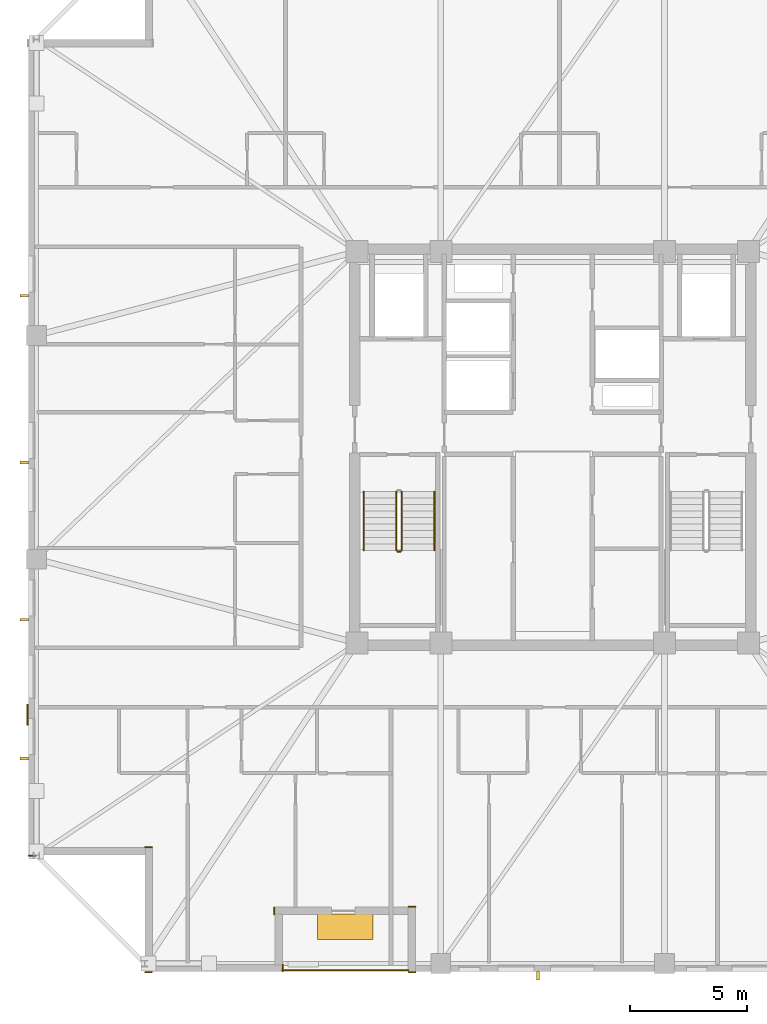
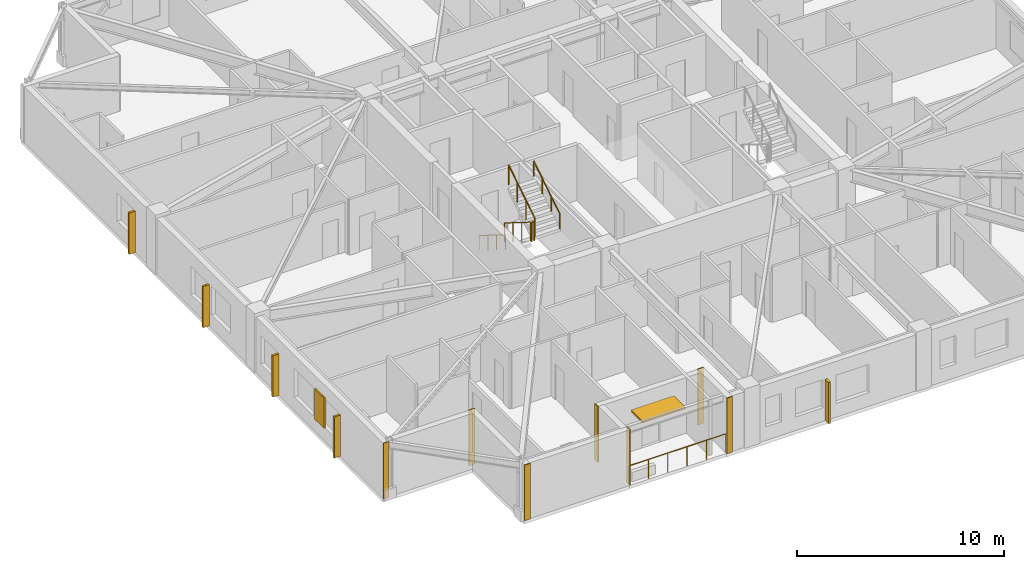
# One storey, part 13 of 17: 7 coverings, 7 shading devices, 6 railings.
"""IFC4 building model written with IfcOpenShell, lengths in metres."""

from ifc_helpers import new_model, si_unit, direction, frame, frame_2d, origin, origin_2d, place, context, subcontext, project, spatial, rectangle, circle, extrude, material, layer, layer_set, type_object, element, save


model = new_model("IFC4")

# Units and contexts
model_context = context("Model", 3, precision=1e-05, world=origin(), true_north=direction((0.0, 1.0)))
body_context = subcontext(model_context, "Body", "Model", "MODEL_VIEW")
ifc_project = project(units=[si_unit("LENGTHUNIT", "METRE"), si_unit("AREAUNIT", "SQUARE_METRE"), si_unit("VOLUMEUNIT", "CUBIC_METRE"), si_unit("PLANEANGLEUNIT", "RADIAN"), si_unit("MASSUNIT", "GRAM", prefix="KILO")], contexts=[model_context])

# Site, building, storey
site_placement = place(None, origin())
site = spatial("IfcSite", under=ifc_project, at=site_placement, CompositionType="ELEMENT")
building_placement = place(site_placement, origin())
building = spatial("IfcBuilding", under=site, at=building_placement, Name="Cairnveth Concourse Tower", CompositionType="ELEMENT")
storey_placement = place(building_placement, frame((0.0, 0.0, 262.0)))
storey = spatial("IfcBuildingStorey", under=building, at=storey_placement, Name="L72", CompositionType="ELEMENT", Elevation=262.0)

# Coverings
ifc_material_1 = material(Name="Dressed Melbourne Bluestone Cladding", Category="masonry")
ifc_layer = layer(ifc_material_1, 0.050048828125)
ifc_layer_set = layer_set([ifc_layer], Name="Dressed Melbourne Bluestone Cladding")
covering_type = type_object("IfcCoveringType", Name="DRESSED BLUESTONE PLINTH CLADDING 50", PredefinedType="CLADDING", material=ifc_layer_set)
for number, where, z_axis, x_axis, name in (
    (1, (40.419921875, 16.820068359375, 0.0), (0.0, 0.0, 1.0), (0.0, -1.0, 0.0), "Melbourne Bluestone Corner Quoin L72-1087"),
    (2, (34.820068359375, 16.47998046875, 0.0), (0.0, 0.0, 1.0), (-1.0, 0.0, 0.0), "Melbourne Bluestone Corner Quoin L72-1088"),
    (3, (34.820068359375, 21.840087890625, 0.0), (0.0, 0.0, 1.0), (-1.0, 0.0, 0.0), "Melbourne Bluestone Corner Quoin L72-1089"),
    (4, (29.820068359375, 21.47998046875, 0.0), (0.0, 0.0, 1.0), (-1.0, 0.0, 0.0), "Melbourne Bluestone Corner Quoin L72-1090"),
    (5, (46.1201171875, 16.47998046875, 0.0), (0.0, 0.0, 1.0), (-1.0, 0.0, 0.0), "Melbourne Bluestone Corner Quoin L72-1100"),
    (6, (46.1201171875, 19.2900390625, 0.0), (0.0, 0.0, 1.0), (-1.0, 0.0, 0.0), "Melbourne Bluestone Corner Quoin L72-1101"),
    (7, (40.06005859375, 19.27001953125, 0.0), (0.0, 0.0, 1.0), (0.0, -1.0, 0.0), "Melbourne Bluestone Corner Quoin L72-1102"),
):
    element("IfcCovering", number, at=place(storey_placement, frame(where, z_axis=z_axis, x_axis=x_axis)), inside=storey, type_object=covering_type, Name=name, PredefinedType="CLADDING", context=body_context, shape_type="SweptSolid", body=[
        extrude(rectangle(XDim=0.320068359375, YDim=0.050048828125, at=frame_2d((0.16015625, 0.0))), origin(), (0.0, 0.0, 1.0), 3.2900390625),
    ])

# Shading devices
ifc_material_2 = material(Name="Architectural Bronze Anodised Aluminium 6063-T6", Category="aluminium")
shading_device_type_1 = type_object("IfcShadingDeviceType", Name="GOTHIC BRONZE VERTICAL LANCET FIN", PredefinedType="USERDEFINED", material=ifc_material_2)
for number, where, z_axis, x_axis, name in (
    (8, (29.324951171875, 25.652587890625, 0.030029296875), (0.0, 0.0, 1.0), (0.0, 1.0, 0.0), "Gothic Bronze Vertical Fin L72-3-1"),
    (9, (29.324951171875, 31.60302734375, 0.030029296875), (0.0, 0.0, 1.0), (0.0, 1.0, 0.0), "Gothic Bronze Vertical Fin L72-3-3"),
    (10, (29.324951171875, 38.353515625, 0.030029296875), (0.0, 0.0, 1.0), (0.0, 1.0, 0.0), "Gothic Bronze Vertical Fin L72-3-5"),
    (11, (29.324951171875, 45.504150390625, 0.030029296875), (0.0, 0.0, 1.0), (0.0, 1.0, 0.0), "Gothic Bronze Vertical Fin L72-3-7"),
    (12, (51.36328125, 16.324951171875, 0.030029296875), (0.0, 0.0, 1.0), (1.0, 0.0, 0.0), "Gothic Bronze Vertical Fin L72-12-5"),
):
    element("IfcShadingDevice", number, at=place(storey_placement, frame(where, z_axis=z_axis, x_axis=x_axis)), inside=storey, type_object=shading_device_type_1, Name=name, ObjectType="VERTICAL FIN", PredefinedType="USERDEFINED", context=body_context, shape_type="SweptSolid", body=[
        extrude(rectangle(XDim=0.1201171875, YDim=0.360107421875, at=origin_2d()), origin(), (0.0, 0.0, 1.0), 2.43798828125),
    ])
shading_device_type_2 = type_object("IfcShadingDeviceType", Name="SPIRAL TERRACE SUNSHADE CANOPY", PredefinedType="USERDEFINED", material=ifc_material_2)
shading_device_1_placement = place(storey_placement, frame((43.10009765625, 18.429931640625, 2.31787109375), z_axis=(0.0, 0.0, 1.0), x_axis=(1.0, 0.0, 0.0)))
element("IfcShadingDevice", 13, at=shading_device_1_placement, inside=storey, type_object=shading_device_type_2, Name="Spiral Terrace Sunshade L72", ObjectType="TERRACE SUNSHADE", PredefinedType="USERDEFINED", context=body_context, shape_type="SweptSolid", body=[
    extrude(rectangle(XDim=2.39990234375, YDim=1.10009765625, at=origin_2d()), origin(), (0.0, 0.0, 1.0), 0.1201171875),
])

# Railings
ifc_material_3 = material(Name="Steel Grade 350", Category="steel")
railing_type_1 = type_object("IfcRailingType", Name="STAIR GUARDRAIL 1150", PredefinedType="GUARDRAIL", material=ifc_material_3)
railing_1_placement = place(storey_placement, frame((45.2900390625, 37.10009765625, 0.175048828125)))
element("IfcRailing", 14, at=railing_1_placement, inside=storey, type_object=railing_type_1, Name="L72 ST-1 stair guard 1", PredefinedType="GUARDRAIL", context=body_context, shape_type="SweptSolid", body=[
    extrude(circle(Radius=0.02392578125, at=origin_2d()), frame((0.0, 0.0, 1.1259765625), z_axis=(0.0, -0.848007534815, 0.529984170421), x_axis=(1.0, 0.0, 0.0)), (0.0, 0.0, 1.0), 2.9716796875),
    extrude(circle(Radius=0.02099609375, at=origin_2d()), origin(), (0.0, 0.0, 1.0), 1.101806640625),
    extrude(circle(Radius=0.02099609375, at=origin_2d()), frame((0.0, -0.840087890625, 0.52490234375)), (0.0, 0.0, 1.0), 1.101806640625),
    extrude(circle(Radius=0.02099609375, at=origin_2d()), frame((0.0, -1.679931640625, 1.050048828125)), (0.0, 0.0, 1.0), 1.101806640625),
    extrude(circle(Radius=0.02099609375, at=origin_2d()), frame((0.0, -2.52001953125, 1.574951171875)), (0.0, 0.0, 1.0), 1.101806640625),
])
railing_2_placement = place(storey_placement, frame((45.340087890625, 34.530029296875, 1.75)))
element("IfcRailing", 15, at=railing_2_placement, inside=storey, type_object=railing_type_1, Name="L72 ST-1 stair guard 2", PredefinedType="GUARDRAIL", context=body_context, shape_type="SweptSolid", body=[
    extrude(circle(Radius=0.02392578125, at=origin_2d()), frame((0.0, 0.0, 1.1259765625), z_axis=(1.0, 0.0, 0.0), x_axis=(0.0, 1.0, 0.0)), (0.0, 0.0, 1.0), 0.139892578125),
    extrude(circle(Radius=0.02099609375, at=origin_2d()), origin(), (0.0, 0.0, 1.0), 1.101806640625),
    extrude(circle(Radius=0.02099609375, at=origin_2d()), frame((0.139892578125, 0.0, 0.0)), (0.0, 0.0, 1.0), 1.101806640625),
])
railing_3_placement = place(storey_placement, frame((45.530029296875, 34.580078125, 1.925048828125)))
element("IfcRailing", 16, at=railing_3_placement, inside=storey, type_object=railing_type_1, Name="L72 ST-1 stair guard 3", PredefinedType="GUARDRAIL", context=body_context, shape_type="SweptSolid", body=[
    extrude(circle(Radius=0.02392578125, at=origin_2d()), frame((0.0, 0.0, 1.1259765625), z_axis=(0.0, 0.848007534815, 0.529984170421), x_axis=(-1.0, 0.0, 0.0)), (0.0, 0.0, 1.0), 2.9716796875),
    extrude(circle(Radius=0.02099609375, at=origin_2d()), origin(), (0.0, 0.0, 1.0), 1.101806640625),
    extrude(circle(Radius=0.02099609375, at=origin_2d()), frame((0.0, 0.840087890625, 0.52490234375)), (0.0, 0.0, 1.0), 1.101806640625),
    extrude(circle(Radius=0.02099609375, at=origin_2d()), frame((0.0, 1.679931640625, 1.050048828125)), (0.0, 0.0, 1.0), 1.101806640625),
    extrude(circle(Radius=0.02099609375, at=origin_2d()), frame((0.0, 2.52001953125, 1.574951171875)), (0.0, 0.0, 1.0), 1.101806640625),
])
railing_type_2 = type_object("IfcRailingType", Name="STAIR WALL HANDRAIL 900", PredefinedType="HANDRAIL", material=ifc_material_3)
railing_4_placement = place(storey_placement, frame((43.889892578125, 37.10009765625, 0.175048828125)))
element("IfcRailing", 17, at=railing_4_placement, inside=storey, type_object=railing_type_2, Name="L72 ST-1 stair handrail 1", PredefinedType="HANDRAIL", context=body_context, shape_type="SweptSolid", body=[
    extrude(circle(Radius=0.02392578125, at=origin_2d()), frame((0.0, 0.0, 0.8759765625), z_axis=(0.0, -0.848007534815, 0.529984170421), x_axis=(1.0, 0.0, 0.0)), (0.0, 0.0, 1.0), 2.9716796875),
    extrude(circle(Radius=0.02099609375, at=origin_2d()), origin(), (0.0, 0.0, 1.0), 0.851806640625),
    extrude(circle(Radius=0.02099609375, at=origin_2d()), frame((0.0, -0.840087890625, 0.52490234375)), (0.0, 0.0, 1.0), 0.851806640625),
    extrude(circle(Radius=0.02099609375, at=origin_2d()), frame((0.0, -1.679931640625, 1.050048828125)), (0.0, 0.0, 1.0), 0.851806640625),
    extrude(circle(Radius=0.02099609375, at=origin_2d()), frame((0.0, -2.52001953125, 1.574951171875)), (0.0, 0.0, 1.0), 0.851806640625),
])
railing_5_placement = place(storey_placement, frame((46.929931640625, 34.580078125, 1.925048828125)))
element("IfcRailing", 18, at=railing_5_placement, inside=storey, type_object=railing_type_2, Name="L72 ST-1 stair handrail 2", PredefinedType="HANDRAIL", context=body_context, shape_type="SweptSolid", body=[
    extrude(circle(Radius=0.02392578125, at=origin_2d()), frame((0.0, 0.0, 0.8759765625), z_axis=(0.0, 0.848007534815, 0.529984170421), x_axis=(-1.0, 0.0, 0.0)), (0.0, 0.0, 1.0), 2.9716796875),
    extrude(circle(Radius=0.02099609375, at=origin_2d()), origin(), (0.0, 0.0, 1.0), 0.851806640625),
    extrude(circle(Radius=0.02099609375, at=origin_2d()), frame((0.0, 0.840087890625, 0.52490234375)), (0.0, 0.0, 1.0), 0.851806640625),
    extrude(circle(Radius=0.02099609375, at=origin_2d()), frame((0.0, 1.679931640625, 1.050048828125)), (0.0, 0.0, 1.0), 0.851806640625),
    extrude(circle(Radius=0.02099609375, at=origin_2d()), frame((0.0, 2.52001953125, 1.574951171875)), (0.0, 0.0, 1.0), 0.851806640625),
])
railing_type_3 = type_object("IfcRailingType", Name="TERRACE BRONZE BALUSTRADE 1150", PredefinedType="BALUSTRADE", material=ifc_material_2)
railing_6_placement = place(storey_placement, frame((40.39990234375, 16.56005859375, 0.0)))
element("IfcRailing", 19, at=railing_6_placement, inside=storey, type_object=railing_type_3, Name="Terrace Balustrade RL-L72-TERR", PredefinedType="BALUSTRADE", context=body_context, shape_type="SweptSolid", body=[
    extrude(circle(Radius=0.02490234375, at=origin_2d()), frame((0.0, 0.0, 1.125), z_axis=(1.0, 0.0, 0.0), x_axis=(0.0, 1.0, 0.0)), (0.0, 0.0, 1.0), 5.400146484375),
    extrude(circle(Radius=0.02099609375, at=origin_2d()), origin(), (0.0, 0.0, 1.0), 1.099853515625),
    extrude(circle(Radius=0.02099609375, at=origin_2d()), frame((1.080078125, 0.0, 0.0)), (0.0, 0.0, 1.0), 1.099853515625),
    extrude(circle(Radius=0.02099609375, at=origin_2d()), frame((2.16015625, 0.0, 0.0)), (0.0, 0.0, 1.0), 1.099853515625),
    extrude(circle(Radius=0.02099609375, at=origin_2d()), frame((3.239990234375, 0.0, 0.0)), (0.0, 0.0, 1.0), 1.099853515625),
    extrude(circle(Radius=0.02099609375, at=origin_2d()), frame((4.320068359375, 0.0, 0.0)), (0.0, 0.0, 1.0), 1.099853515625),
    extrude(circle(Radius=0.02099609375, at=origin_2d()), frame((5.400146484375, 0.0, 0.0)), (0.0, 0.0, 1.0), 1.099853515625),
])

# Shading device
shading_device_type_3 = type_object("IfcShadingDeviceType", Name="WEST SOLAR PERFORATED SHUTTER", PredefinedType="SHUTTER", material=ifc_material_2)
shading_device_2_placement = place(storey_placement, frame((29.464111328125, 27.522705078125, 0.7998046875), z_axis=(0.0, 0.0, 1.0), x_axis=(1.0, 0.0, 0.0)))
element("IfcShadingDevice", 20, at=shading_device_2_placement, inside=storey, type_object=shading_device_type_3, Name="West Solar Shutter L72", PredefinedType="SHUTTER", context=body_context, shape_type="SweptSolid", body=[
    extrude(rectangle(XDim=0.080078125, YDim=0.89990234375, at=origin_2d()), origin(), (0.0, 0.0, 1.0), 1.800048828125),
])

save(model, "model.ifc")
